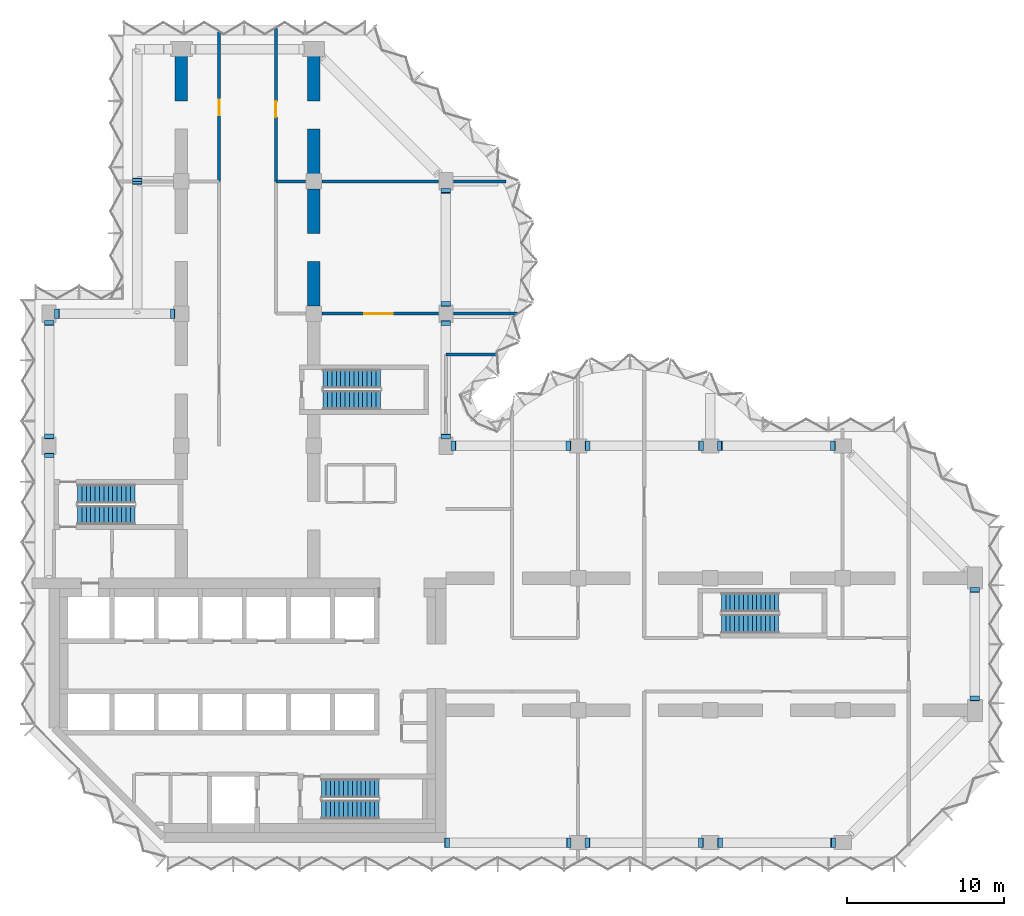
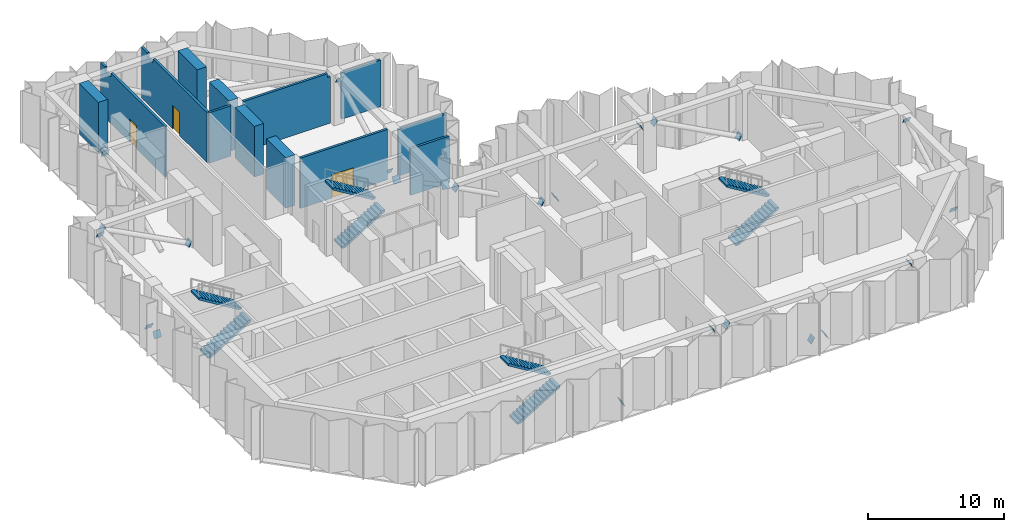
# One storey, part 7 of 13: 25 discrete accessories, 13 walls, 8 stair flights, 3 doors, 3 openings, 4 elements without a shape of their own.
"""IFC4 building model written with IfcOpenShell, lengths in metres."""

from ifc_helpers import new_model, si_unit, direction, frame, frame_2d, origin, origin_2d, place, context, subcontext, project, spatial, polyline, rectangle, outline, extrude, material, layer, layer_set, type_object, element, fill, aggregate, save


model = new_model("IFC4")

# Units and contexts
model_context = context("Model", 3, precision=1e-05, world=origin(), true_north=direction((0.0, 1.0)))
body_context = subcontext(model_context, "Body", "Model", "MODEL_VIEW")
ifc_project = project(units=[si_unit("LENGTHUNIT", "METRE"), si_unit("AREAUNIT", "SQUARE_METRE"), si_unit("VOLUMEUNIT", "CUBIC_METRE"), si_unit("PLANEANGLEUNIT", "RADIAN"), si_unit("MASSUNIT", "GRAM", prefix="KILO")], contexts=[model_context])

# Site, building, storey
site_placement = place(None, origin())
site = spatial("IfcSite", under=ifc_project, at=site_placement, CompositionType="ELEMENT")
building_placement = place(site_placement, origin())
building = spatial("IfcBuilding", under=site, at=building_placement, Name="Brevane Broadcast Tower", CompositionType="ELEMENT")
storey_placement = place(building_placement, frame((0.0, 0.0, 162.0)))
storey = spatial("IfcBuildingStorey", under=building, at=storey_placement, Name="L40", CompositionType="ELEMENT", Elevation=162.0)

# Wall
ifc_material_1 = material(Name="Gypsum board partition")
ifc_layer_1 = layer(ifc_material_1, 0.199951171875)
ifc_layer_set_1 = layer_set([ifc_layer_1], Name="PARTITION 200 EI 120")
wall_type_1 = type_object("IfcWallType", Name="PARTITION 200 EI 120", PredefinedType="PARTITIONING", material=ifc_layer_set_1)
wall_1_placement = place(storey_placement, frame((25.199951171875, 31.0, 0.0), z_axis=(0.0, 0.0, 1.0), x_axis=(1.0, 0.0, 0.0)))
element("IfcWall", 1, at=wall_1_placement, inside=storey, type_object=wall_type_1, Name="Partition R2-006", PredefinedType="PARTITIONING", context=body_context, shape_type="SweptSolid", body=[
    extrude(rectangle(XDim=3.32421875, YDim=0.199951171875, at=frame_2d((1.662109375, 0.0))), origin(), (0.0, 0.0, 1.0), 4.179931640625),
])

# Wall, opening, door
wall_2_placement = place(storey_placement, frame((17.320068359375, 33.60009765625, 0.0), z_axis=(0.0, 0.0, 1.0), x_axis=(1.0, 0.0, 0.0)))
wall_2 = element("IfcWall", 2, at=wall_2_placement, inside=storey, type_object=wall_type_1, Name="Partition R2-030", PredefinedType="PARTITIONING", context=body_context, shape_type="SweptSolid", body=[
    extrude(rectangle(XDim=7.409912109375, YDim=0.199951171875, at=frame_2d((3.705078125, 0.0))), origin(), (0.0, 0.0, 1.0), 4.530029296875),
])
opening_1_placement = place(wall_2_placement, frame((2.699951171875, 0.0, 0.0)))
opening_1 = element("IfcOpeningElement", 3, at=opening_1_placement, cuts=wall_2, Name="Opening D20-010", PredefinedType="OPENING", context=body_context, shape_type="SweptSolid", body=[
    extrude(rectangle(XDim=1.800048828125, YDim=2.10009765625, at=frame_2d((0.89990234375, 1.050048828125))), frame((0.0, 0.10986328125, 0.0), z_axis=(0.0, -1.0, 0.0), x_axis=(1.0, 0.0, 0.0)), (0.0, 0.0, 1.0), 0.219970703125),
])
ifc_material_2 = material(Name="Fire-rated timber door leaf", Category="wood")
door_type_1 = type_object("IfcDoorType", Name="DOOR DOUBLE 1800 FD60", OperationType="DOUBLE_DOOR_SINGLE_SWING", PredefinedType="DOOR", material=ifc_material_2)
door_1_placement = place(opening_1_placement, origin())
door_1 = element("IfcDoor", 4, at=door_1_placement, inside=storey, type_object=door_type_1, Name="Door D20-010", OperationType="DOUBLE_DOOR_SINGLE_SWING", OverallHeight=2.10009765625, OverallWidth=1.800048828125, PredefinedType="DOOR", context=body_context, shape_type="SweptSolid", body=[
    extrude(rectangle(XDim=1.800048828125, YDim=2.10009765625, at=frame_2d((0.89990234375, 1.050048828125))), frame((0.0, 0.02490234375, 0.0), z_axis=(0.0, -1.0, 0.0), x_axis=(1.0, 0.0, 0.0)), (0.0, 0.0, 1.0), 0.050048828125),
])
fill(opening_1, door_1)

# Wall
wall_3_placement = place(storey_placement, frame((25.669921875, 33.60009765625, 0.0), z_axis=(0.0, 0.0, 1.0), x_axis=(1.0, 0.0, 0.0)))
element("IfcWall", 5, at=wall_3_placement, inside=storey, type_object=wall_type_1, Name="Partition R2-031", PredefinedType="PARTITIONING", context=body_context, shape_type="SweptSolid", body=[
    extrude(rectangle(XDim=4.092041015625, YDim=0.199951171875, at=frame_2d((2.0458984375, 0.0))), origin(), (0.0, 0.0, 1.0), 4.179931640625),
])

# Wall, opening, door
wall_4_placement = place(storey_placement, frame((10.800048828125, 42.0, 0.0), z_axis=(0.0, 0.0, 1.0), x_axis=(0.0, 1.0, 0.0)))
wall_4 = element("IfcWall", 6, at=wall_4_placement, inside=storey, type_object=wall_type_1, Name="Partition R2-033", PredefinedType="PARTITIONING", context=body_context, shape_type="SweptSolid", body=[
    extrude(outline(polyline([(0.0, 0.0), (9.47998046875, 0.0), (9.47998046875, 4.530029296875), (8.85009765625, 4.530029296875), (8.847900390625, 4.179931640625), (7.951904296875, 4.179931640625), (7.949951171875, 4.530029296875), (0.0, 4.530029296875), (0.0, 0.0)])), frame((0.0, 0.10009765625, 0.0), z_axis=(0.0, -1.0, 0.0), x_axis=(1.0, 0.0, 0.0)), (0.0, 0.0, 1.0), 0.199951171875),
])
opening_2_placement = place(wall_4_placement, frame((4.199951171875, 0.0, 0.0)))
opening_2 = element("IfcOpeningElement", 7, at=opening_2_placement, cuts=wall_4, Name="Opening D20-009", PredefinedType="OPENING", context=body_context, shape_type="SweptSolid", body=[
    extrude(rectangle(XDim=1.0, YDim=2.10009765625, at=frame_2d((0.5, 1.050048828125))), frame((0.0, 0.10986328125, 0.0), z_axis=(0.0, -1.0, 0.0), x_axis=(1.0, 0.0, 0.0)), (0.0, 0.0, 1.0), 0.219970703125),
])
door_type_2 = type_object("IfcDoorType", Name="DOOR SINGLE 1000 FD60", OperationType="SINGLE_SWING_LEFT", PredefinedType="DOOR", material=ifc_material_2)
door_2_placement = place(opening_2_placement, origin())
door_2 = element("IfcDoor", 8, at=door_2_placement, inside=storey, type_object=door_type_2, Name="Door D20-009", OperationType="SINGLE_SWING_LEFT", OverallHeight=2.10009765625, OverallWidth=1.0, PredefinedType="DOOR", context=body_context, shape_type="SweptSolid", body=[
    extrude(rectangle(XDim=1.0, YDim=2.10009765625, at=frame_2d((0.5, 1.050048828125))), frame((0.0, 0.02490234375, 0.0), z_axis=(0.0, -1.0, 0.0), x_axis=(1.0, 0.0, 0.0)), (0.0, 0.0, 1.0), 0.050048828125),
])
fill(opening_2, door_2)

wall_5_placement = place(storey_placement, frame((14.39990234375, 51.71337890625, 0.0), z_axis=(0.0, 0.0, 1.0), x_axis=(0.0, -1.0, 0.0)))
wall_5 = element("IfcWall", 9, at=wall_5_placement, inside=storey, type_object=wall_type_1, Name="Partition R2-035", PredefinedType="PARTITIONING", context=body_context, shape_type="SweptSolid", body=[
    extrude(outline(polyline([(0.0, 0.0), (9.71337890625, 0.0), (9.71337890625, 4.530029296875), (1.763427734375, 4.530029296875), (1.761474609375, 4.179931640625), (0.865478515625, 4.179931640625), (0.86328125, 4.530029296875), (0.2333984375, 4.530029296875), (0.0, 4.530029296875), (0.0, 0.0)])), frame((0.0, 0.10009765625, 0.0), z_axis=(0.0, -1.0, 0.0), x_axis=(1.0, 0.0, 0.0)), (0.0, 0.0, 1.0), 0.199951171875),
])
opening_3_placement = place(wall_5_placement, frame((4.63330078125, 0.0, 0.0)))
opening_3 = element("IfcOpeningElement", 10, at=opening_3_placement, cuts=wall_5, Name="Opening D20-011", PredefinedType="OPENING", context=body_context, shape_type="SweptSolid", body=[
    extrude(rectangle(XDim=1.0, YDim=2.10009765625, at=frame_2d((0.5, 1.050048828125))), frame((0.0, 0.10986328125, 0.0), z_axis=(0.0, -1.0, 0.0), x_axis=(1.0, 0.0, 0.0)), (0.0, 0.0, 1.0), 0.219970703125),
])
door_3_placement = place(opening_3_placement, origin())
door_3 = element("IfcDoor", 11, at=door_3_placement, inside=storey, type_object=door_type_2, Name="Door D20-011", OperationType="SINGLE_SWING_LEFT", OverallHeight=2.10009765625, OverallWidth=1.0, PredefinedType="DOOR", context=body_context, shape_type="SweptSolid", body=[
    extrude(rectangle(XDim=1.0, YDim=2.10009765625, at=frame_2d((0.5, 1.050048828125))), frame((0.0, 0.02490234375, 0.0), z_axis=(0.0, -1.0, 0.0), x_axis=(1.0, 0.0, 0.0)), (0.0, 0.0, 1.0), 0.050048828125),
])
fill(opening_3, door_3)

# Walls
wall_6_placement = place(storey_placement, frame((14.39990234375, 42.0, 0.0), z_axis=(0.0, 0.0, 1.0), x_axis=(1.0, 0.0, 0.0)))
element("IfcWall", 12, at=wall_6_placement, inside=storey, type_object=wall_type_1, Name="Partition R2-038", PredefinedType="PARTITIONING", context=body_context, shape_type="SweptSolid", body=[
    extrude(rectangle(XDim=1.880126953125, YDim=0.199951171875, at=frame_2d((0.93994140625, 0.0))), origin(), (0.0, 0.0, 1.0), 4.530029296875),
])
wall_7_placement = place(storey_placement, frame((17.320068359375, 42.0, 0.0), z_axis=(0.0, 0.0, 1.0), x_axis=(1.0, 0.0, 0.0)))
element("IfcWall", 13, at=wall_7_placement, inside=storey, type_object=wall_type_1, Name="Partition R2-039", PredefinedType="PARTITIONING", context=body_context, shape_type="SweptSolid", body=[
    extrude(outline(polyline([(0.0, 0.0), (7.409912109375, 0.0), (7.409912109375, 4.179931640625), (7.166259765625, 4.179931640625), (7.164306640625, 4.530029296875), (0.0, 4.530029296875), (0.0, 0.0)])), frame((0.0, 0.10009765625, 0.0), z_axis=(0.0, -1.0, 0.0), x_axis=(1.0, 0.0, 0.0)), (0.0, 0.0, 1.0), 0.199951171875),
])
wall_8_placement = place(storey_placement, frame((25.669921875, 42.0, 0.0), z_axis=(0.0, 0.0, 1.0), x_axis=(1.0, 0.0, 0.0)))
element("IfcWall", 14, at=wall_8_placement, inside=storey, type_object=wall_type_1, Name="Partition R2-040", PredefinedType="PARTITIONING", context=body_context, shape_type="SweptSolid", body=[
    extrude(rectangle(XDim=3.341552734375, YDim=0.199951171875, at=frame_2d((1.6708984375, 0.0))), origin(), (0.0, 0.0, 1.0), 4.179931640625),
])
ifc_material_3 = material(Name="Concrete C60/75", Category="concrete")
ifc_layer_2 = layer(ifc_material_3, 0.800048828125)
ifc_layer_set_2 = layer_set([ifc_layer_2], Name="RC OUTRIGGER WALL 800 C60/75")
wall_type_2 = type_object("IfcWallType", Name="RC OUTRIGGER WALL 800 C60/75", PredefinedType="SHEAR", material=ifc_layer_set_2)
wall_9_placement = place(storey_placement, frame((8.39990234375, 47.112548828125, 0.0), z_axis=(0.0, 0.0, 1.0), x_axis=(0.0, 1.0, 0.0)))
element("IfcWall", 15, at=wall_9_placement, inside=storey, type_object=wall_type_2, Name="OR1 L40-24", PredefinedType="SHEAR", context=body_context, shape_type="SweptSolid", body=[
    extrude(rectangle(XDim=2.842529296875, YDim=0.800048828125, at=frame_2d((1.42138671875, 0.0))), origin(), (0.0, 0.0, 1.0), 4.550048828125),
])
wall_10_placement = place(storey_placement, frame((16.800048828125, 34.070068359375, 0.0), z_axis=(0.0, 0.0, 1.0), x_axis=(0.0, 1.0, 0.0)))
element("IfcWall", 16, at=wall_10_placement, inside=storey, type_object=wall_type_2, Name="OR1 L40-29", PredefinedType="SHEAR", context=body_context, shape_type="SweptSolid", body=[
    extrude(rectangle(XDim=2.829833984375, YDim=0.800048828125, at=frame_2d((1.4150390625, 0.0))), origin(), (0.0, 0.0, 1.0), 4.550048828125),
])
wall_11_placement = place(storey_placement, frame((16.800048828125, 38.699951171875, 0.0), z_axis=(0.0, 0.0, 1.0), x_axis=(0.0, 1.0, 0.0)))
element("IfcWall", 17, at=wall_11_placement, inside=storey, type_object=wall_type_2, Name="OR1 L40-30", PredefinedType="SHEAR", context=body_context, shape_type="SweptSolid", body=[
    extrude(rectangle(XDim=2.830078125, YDim=0.800048828125, at=frame_2d((1.4150390625, 0.0))), origin(), (0.0, 0.0, 1.0), 4.550048828125),
])
for number, where, z_axis, x_axis, name in (
    (18, (16.800048828125, 42.469970703125, 0.0), (0.0, 0.0, 1.0), (0.0, 1.0, 0.0), "OR1 L40-31"),
    (19, (16.800048828125, 47.112548828125, 0.0), (0.0, 0.0, 1.0), (0.0, 1.0, 0.0), "OR1 L40-32"),
):
    element("IfcWall", number, at=place(storey_placement, frame(where, z_axis=z_axis, x_axis=x_axis)), inside=storey, type_object=wall_type_2, Name=name, PredefinedType="SHEAR", context=body_context, shape_type="SweptSolid", body=[
        extrude(rectangle(XDim=2.842529296875, YDim=0.800048828125, at=frame_2d((1.42138671875, 0.0))), origin(), (0.0, 0.0, 1.0), 4.550048828125),
    ])

# Stair, stair flights
ifc_material_4 = material(Name="Concrete C50/60", Category="concrete")
stair_type = type_object("IfcStairType", Name="Exit stair 28 risers", PredefinedType="HALF_TURN_STAIR", material=ifc_material_4)
stair_1_placement = place(storey_placement, origin())
stair_1 = element("IfcStair", 20, at=stair_1_placement, inside=storey, type_object=stair_type, Name="L40 Exit stair ST-1", PredefinedType="HALF_TURN_STAIR")
stair_flight_type = type_object("IfcStairFlightType", Name="Exit stair flight 28 risers", PredefinedType="STRAIGHT", material=ifc_material_4)
stair_flight_1_placement = place(storey_placement, frame((1.800048828125, 20.800048828125, 0.0), z_axis=(0.0, 0.0, 1.0), x_axis=(1.0, 0.0, 0.0)))
stair_flight_1 = element("IfcStairFlight", 21, at=stair_flight_1_placement, type_object=stair_flight_type, Name="ST-1 flight 1", NumberOfRisers=14, NumberOfTreads=13, PredefinedType="STRAIGHT", RiserHeight=0.171428571, TreadLength=0.28, context=body_context, shape_type="SweptSolid", body=[
    extrude(outline(polyline([(0.0, 0.0), (0.0, 0.17138671875), (0.280029296875, 0.17138671875), (0.280029296875, 0.3427734375), (0.56005859375, 0.3427734375), (0.56005859375, 0.514404296875), (0.840087890625, 0.514404296875), (0.840087890625, 0.685791015625), (1.1201171875, 0.685791015625), (1.1201171875, 0.857177734375), (1.39990234375, 0.857177734375), (1.39990234375, 1.028564453125), (1.679931640625, 1.028564453125), (1.679931640625, 1.199951171875), (1.9599609375, 1.199951171875), (1.9599609375, 1.371337890625), (2.239990234375, 1.371337890625), (2.239990234375, 1.54296875), (2.52001953125, 1.54296875), (2.52001953125, 1.71435546875), (2.800048828125, 1.71435546875), (2.800048828125, 1.8857421875), (3.080078125, 1.8857421875), (3.080078125, 2.05712890625), (3.360107421875, 2.05712890625), (3.360107421875, 2.228515625), (3.639892578125, 2.228515625), (3.639892578125, 2.39990234375), (3.639892578125, 2.052734375), (0.287109375, 0.0), (0.0, 0.0)])), frame((0.0, 0.60009765625, 0.0), z_axis=(0.0, -1.0, 0.0), x_axis=(1.0, 0.0, 0.0)), (0.0, 0.0, 1.0), 1.199951171875),
])
stair_flight_2_placement = place(storey_placement, frame((5.43994140625, 22.14990234375, 2.39990234375), z_axis=(0.0, 0.0, 1.0), x_axis=(-1.0, 0.0, 0.0)))
stair_flight_2 = element("IfcStairFlight", 22, at=stair_flight_2_placement, type_object=stair_flight_type, Name="ST-1 flight 2", NumberOfRisers=14, NumberOfTreads=13, PredefinedType="STRAIGHT", RiserHeight=0.171428571, TreadLength=0.28, context=body_context, shape_type="SweptSolid", body=[
    extrude(outline(polyline([(0.0, 0.0), (0.0, 0.17138671875), (0.280029296875, 0.17138671875), (0.280029296875, 0.3427734375), (0.56005859375, 0.3427734375), (0.56005859375, 0.514404296875), (0.840087890625, 0.514404296875), (0.840087890625, 0.685791015625), (1.1201171875, 0.685791015625), (1.1201171875, 0.857177734375), (1.39990234375, 0.857177734375), (1.39990234375, 1.028564453125), (1.679931640625, 1.028564453125), (1.679931640625, 1.199951171875), (1.9599609375, 1.199951171875), (1.9599609375, 1.371337890625), (2.239990234375, 1.371337890625), (2.239990234375, 1.54296875), (2.52001953125, 1.54296875), (2.52001953125, 1.71435546875), (2.800048828125, 1.71435546875), (2.800048828125, 1.8857421875), (3.080078125, 1.8857421875), (3.080078125, 2.05712890625), (3.360107421875, 2.05712890625), (3.360107421875, 2.228515625), (3.639892578125, 2.228515625), (3.639892578125, 2.39990234375), (3.639892578125, 2.052734375), (0.287109375, 0.0), (0.0, 0.0)])), frame((0.0, 0.60009765625, 0.0), z_axis=(0.0, -1.0, 0.0), x_axis=(1.0, 0.0, 0.0)), (0.0, 0.0, 1.0), 1.199951171875),
])
aggregate(stair_1, [stair_flight_1, stair_flight_2])

stair_2_placement = place(storey_placement, origin())
stair_2 = element("IfcStair", 23, at=stair_2_placement, inside=storey, type_object=stair_type, Name="L40 Exit stair ST-2", PredefinedType="HALF_TURN_STAIR")
stair_flight_3_placement = place(storey_placement, frame((17.300048828125, 2.10009765625, 0.0), z_axis=(0.0, 0.0, 1.0), x_axis=(1.0, 0.0, 0.0)))
stair_flight_3 = element("IfcStairFlight", 24, at=stair_flight_3_placement, type_object=stair_flight_type, Name="ST-2 flight 1", NumberOfRisers=14, NumberOfTreads=13, PredefinedType="STRAIGHT", RiserHeight=0.171428571, TreadLength=0.28, context=body_context, shape_type="SweptSolid", body=[
    extrude(outline(polyline([(0.0, 0.0), (0.0, 0.17138671875), (0.280029296875, 0.17138671875), (0.280029296875, 0.3427734375), (0.56005859375, 0.3427734375), (0.56005859375, 0.514404296875), (0.840087890625, 0.514404296875), (0.840087890625, 0.685791015625), (1.1201171875, 0.685791015625), (1.1201171875, 0.857177734375), (1.39990234375, 0.857177734375), (1.39990234375, 1.028564453125), (1.679931640625, 1.028564453125), (1.679931640625, 1.199951171875), (1.9599609375, 1.199951171875), (1.9599609375, 1.371337890625), (2.239990234375, 1.371337890625), (2.239990234375, 1.54296875), (2.52001953125, 1.54296875), (2.52001953125, 1.71435546875), (2.800048828125, 1.71435546875), (2.800048828125, 1.8857421875), (3.080078125, 1.8857421875), (3.080078125, 2.05712890625), (3.360107421875, 2.05712890625), (3.360107421875, 2.228515625), (3.639892578125, 2.228515625), (3.639892578125, 2.39990234375), (3.639892578125, 2.052734375), (0.287109375, 0.0), (0.0, 0.0)])), frame((0.0, 0.60009765625, 0.0), z_axis=(0.0, -1.0, 0.0), x_axis=(1.0, 0.0, 0.0)), (0.0, 0.0, 1.0), 1.199951171875),
])
stair_flight_4_placement = place(storey_placement, frame((20.93994140625, 3.449951171875, 2.39990234375), z_axis=(0.0, 0.0, 1.0), x_axis=(-1.0, 0.0, 0.0)))
stair_flight_4 = element("IfcStairFlight", 25, at=stair_flight_4_placement, type_object=stair_flight_type, Name="ST-2 flight 2", NumberOfRisers=14, NumberOfTreads=13, PredefinedType="STRAIGHT", RiserHeight=0.171428571, TreadLength=0.28, context=body_context, shape_type="SweptSolid", body=[
    extrude(outline(polyline([(0.0, 0.0), (0.0, 0.17138671875), (0.280029296875, 0.17138671875), (0.280029296875, 0.3427734375), (0.56005859375, 0.3427734375), (0.56005859375, 0.514404296875), (0.840087890625, 0.514404296875), (0.840087890625, 0.685791015625), (1.1201171875, 0.685791015625), (1.1201171875, 0.857177734375), (1.39990234375, 0.857177734375), (1.39990234375, 1.028564453125), (1.679931640625, 1.028564453125), (1.679931640625, 1.199951171875), (1.9599609375, 1.199951171875), (1.9599609375, 1.371337890625), (2.239990234375, 1.371337890625), (2.239990234375, 1.54296875), (2.52001953125, 1.54296875), (2.52001953125, 1.71435546875), (2.800048828125, 1.71435546875), (2.800048828125, 1.8857421875), (3.080078125, 1.8857421875), (3.080078125, 2.05712890625), (3.360107421875, 2.05712890625), (3.360107421875, 2.228515625), (3.639892578125, 2.228515625), (3.639892578125, 2.39990234375), (3.639892578125, 2.052734375), (0.287109375, 0.0), (0.0, 0.0)])), frame((0.0, 0.60009765625, 0.0), z_axis=(0.0, -1.0, 0.0), x_axis=(1.0, 0.0, 0.0)), (0.0, 0.0, 1.0), 1.199951171875),
])
aggregate(stair_2, [stair_flight_3, stair_flight_4])

stair_3_placement = place(storey_placement, origin())
stair_3 = element("IfcStair", 26, at=stair_3_placement, inside=storey, type_object=stair_type, Name="L40 Exit stair ST-3", PredefinedType="HALF_TURN_STAIR")
stair_flight_5_placement = place(storey_placement, frame((17.39990234375, 28.10009765625, 0.0), z_axis=(0.0, 0.0, 1.0), x_axis=(1.0, 0.0, 0.0)))
stair_flight_5 = element("IfcStairFlight", 27, at=stair_flight_5_placement, type_object=stair_flight_type, Name="ST-3 flight 1", NumberOfRisers=14, NumberOfTreads=13, PredefinedType="STRAIGHT", RiserHeight=0.171428571, TreadLength=0.28, context=body_context, shape_type="SweptSolid", body=[
    extrude(outline(polyline([(0.0, 0.0), (0.0, 0.17138671875), (0.280029296875, 0.17138671875), (0.280029296875, 0.3427734375), (0.56005859375, 0.3427734375), (0.56005859375, 0.514404296875), (0.840087890625, 0.514404296875), (0.840087890625, 0.685791015625), (1.1201171875, 0.685791015625), (1.1201171875, 0.857177734375), (1.39990234375, 0.857177734375), (1.39990234375, 1.028564453125), (1.679931640625, 1.028564453125), (1.679931640625, 1.199951171875), (1.9599609375, 1.199951171875), (1.9599609375, 1.371337890625), (2.239990234375, 1.371337890625), (2.239990234375, 1.54296875), (2.52001953125, 1.54296875), (2.52001953125, 1.71435546875), (2.800048828125, 1.71435546875), (2.800048828125, 1.8857421875), (3.080078125, 1.8857421875), (3.080078125, 2.05712890625), (3.360107421875, 2.05712890625), (3.360107421875, 2.228515625), (3.639892578125, 2.228515625), (3.639892578125, 2.39990234375), (3.639892578125, 2.052734375), (0.287109375, 0.0), (0.0, 0.0)])), frame((0.0, 0.60009765625, 0.0), z_axis=(0.0, -1.0, 0.0), x_axis=(1.0, 0.0, 0.0)), (0.0, 0.0, 1.0), 1.199951171875),
])
stair_flight_6_placement = place(storey_placement, frame((21.0400390625, 29.449951171875, 2.39990234375), z_axis=(0.0, 0.0, 1.0), x_axis=(-1.0, 0.0, 0.0)))
stair_flight_6 = element("IfcStairFlight", 28, at=stair_flight_6_placement, type_object=stair_flight_type, Name="ST-3 flight 2", NumberOfRisers=14, NumberOfTreads=13, PredefinedType="STRAIGHT", RiserHeight=0.171428571, TreadLength=0.28, context=body_context, shape_type="SweptSolid", body=[
    extrude(outline(polyline([(0.0, 0.0), (0.0, 0.17138671875), (0.280029296875, 0.17138671875), (0.280029296875, 0.3427734375), (0.56005859375, 0.3427734375), (0.56005859375, 0.514404296875), (0.840087890625, 0.514404296875), (0.840087890625, 0.685791015625), (1.1201171875, 0.685791015625), (1.1201171875, 0.857177734375), (1.39990234375, 0.857177734375), (1.39990234375, 1.028564453125), (1.679931640625, 1.028564453125), (1.679931640625, 1.199951171875), (1.9599609375, 1.199951171875), (1.9599609375, 1.371337890625), (2.239990234375, 1.371337890625), (2.239990234375, 1.54296875), (2.52001953125, 1.54296875), (2.52001953125, 1.71435546875), (2.800048828125, 1.71435546875), (2.800048828125, 1.8857421875), (3.080078125, 1.8857421875), (3.080078125, 2.05712890625), (3.360107421875, 2.05712890625), (3.360107421875, 2.228515625), (3.639892578125, 2.228515625), (3.639892578125, 2.39990234375), (3.639892578125, 2.052734375), (0.287109375, 0.0), (0.0, 0.0)])), frame((0.0, 0.60009765625, 0.0), z_axis=(0.0, -1.0, 0.0), x_axis=(1.0, 0.0, 0.0)), (0.0, 0.0, 1.0), 1.199951171875),
])
aggregate(stair_3, [stair_flight_5, stair_flight_6])

stair_4_placement = place(storey_placement, origin())
stair_4 = element("IfcStair", 29, at=stair_4_placement, inside=storey, type_object=stair_type, Name="L40 Exit stair ST-4", PredefinedType="HALF_TURN_STAIR")
stair_flight_7_placement = place(storey_placement, frame((42.699951171875, 13.89990234375, 0.0), z_axis=(0.0, 0.0, 1.0), x_axis=(1.0, 0.0, 0.0)))
stair_flight_7 = element("IfcStairFlight", 30, at=stair_flight_7_placement, type_object=stair_flight_type, Name="ST-4 flight 1", NumberOfRisers=14, NumberOfTreads=13, PredefinedType="STRAIGHT", RiserHeight=0.171428571, TreadLength=0.28, context=body_context, shape_type="SweptSolid", body=[
    extrude(outline(polyline([(0.0, 0.0), (0.0, 0.17138671875), (0.280029296875, 0.17138671875), (0.280029296875, 0.3427734375), (0.56005859375, 0.3427734375), (0.56005859375, 0.514404296875), (0.840087890625, 0.514404296875), (0.840087890625, 0.685791015625), (1.1201171875, 0.685791015625), (1.1201171875, 0.857177734375), (1.39990234375, 0.857177734375), (1.39990234375, 1.028564453125), (1.679931640625, 1.028564453125), (1.679931640625, 1.199951171875), (1.9599609375, 1.199951171875), (1.9599609375, 1.371337890625), (2.239990234375, 1.371337890625), (2.239990234375, 1.54296875), (2.52001953125, 1.54296875), (2.52001953125, 1.71435546875), (2.800048828125, 1.71435546875), (2.800048828125, 1.8857421875), (3.080078125, 1.8857421875), (3.080078125, 2.05712890625), (3.360107421875, 2.05712890625), (3.360107421875, 2.228515625), (3.639892578125, 2.228515625), (3.639892578125, 2.39990234375), (3.639892578125, 2.052734375), (0.287109375, 0.0), (0.0, 0.0)])), frame((0.0, 0.60009765625, 0.0), z_axis=(0.0, -1.0, 0.0), x_axis=(1.0, 0.0, 0.0)), (0.0, 0.0, 1.0), 1.199951171875),
])
stair_flight_8_placement = place(storey_placement, frame((46.340087890625, 15.25, 2.39990234375), z_axis=(0.0, 0.0, 1.0), x_axis=(-1.0, 0.0, 0.0)))
stair_flight_8 = element("IfcStairFlight", 31, at=stair_flight_8_placement, type_object=stair_flight_type, Name="ST-4 flight 2", NumberOfRisers=14, NumberOfTreads=13, PredefinedType="STRAIGHT", RiserHeight=0.171428571, TreadLength=0.28, context=body_context, shape_type="SweptSolid", body=[
    extrude(outline(polyline([(0.0, 0.0), (0.0, 0.17138671875), (0.280029296875, 0.17138671875), (0.280029296875, 0.3427734375), (0.56005859375, 0.3427734375), (0.56005859375, 0.514404296875), (0.840087890625, 0.514404296875), (0.840087890625, 0.685791015625), (1.1201171875, 0.685791015625), (1.1201171875, 0.857177734375), (1.39990234375, 0.857177734375), (1.39990234375, 1.028564453125), (1.679931640625, 1.028564453125), (1.679931640625, 1.199951171875), (1.9599609375, 1.199951171875), (1.9599609375, 1.371337890625), (2.239990234375, 1.371337890625), (2.239990234375, 1.54296875), (2.52001953125, 1.54296875), (2.52001953125, 1.71435546875), (2.800048828125, 1.71435546875), (2.800048828125, 1.8857421875), (3.080078125, 1.8857421875), (3.080078125, 2.05712890625), (3.360107421875, 2.05712890625), (3.360107421875, 2.228515625), (3.639892578125, 2.228515625), (3.639892578125, 2.39990234375), (3.639892578125, 2.052734375), (0.287109375, 0.0), (0.0, 0.0)])), frame((0.0, 0.60009765625, 0.0), z_axis=(0.0, -1.0, 0.0), x_axis=(1.0, 0.0, 0.0)), (0.0, 0.0, 1.0), 1.199951171875),
])
aggregate(stair_4, [stair_flight_7, stair_flight_8])

# Discrete accessories
ifc_material_5 = material(Name="Steel S355", Category="steel")
ifc_layer_3 = layer(ifc_material_5, 0.0400390625)
ifc_layer_set_3 = layer_set([ifc_layer_3], Name="Gusset plate 600x600x40 S355")
discrete_accessory_type = type_object("IfcDiscreteAccessoryType", Name="Gusset plate 600x600x40 S355", PredefinedType="ANCHORPLATE", material=ifc_layer_set_3)
discrete_accessory_1_placement = place(storey_placement, frame((25.2548828125, 0.0, 0.1640625), z_axis=(0.894427191, 0.0, 0.4472135955), x_axis=(0.0, 1.0, 0.0)))
element("IfcDiscreteAccessory", 32, at=discrete_accessory_1_placement, inside=storey, type_object=discrete_accessory_type, Name="Gusset plate GP2-5", PredefinedType="ANCHORPLATE", context=body_context, shape_type="SweptSolid", body=[
    extrude(rectangle(XDim=0.60009765625, YDim=0.60009765625, at=origin_2d()), origin(), (0.0, 0.0, 1.0), 0.039794921875),
])
for number, where, z_axis, x_axis, name in (
    (33, (32.9892578125, 0.0, 4.01806640625), (0.895642431808, 0.0, 0.444774813075), (0.0, 1.0, 0.0), "Gusset plate GP2-6"),
    (34, (41.419189453125, 0.0, 0.16015625), (-0.879291966537, 0.0, 0.476283148541), (0.0, -1.0, 0.0), "Gusset plate GP2-7"),
    (35, (34.216064453125, 0.0, 4.02099609375), (-0.883194569852, 0.0, 0.469006771576), (0.0, -1.0, 0.0), "Gusset plate GP2-8"),
    (36, (42.580810546875, 0.0, 0.16015625), (0.879291966537, 0.0, 0.476283148541), (0.0, 1.0, 0.0), "Gusset plate GP2-9"),
    (37, (49.783935546875, 0.0, 4.02099609375), (0.883194569852, 0.0, 0.469006771576), (0.0, 1.0, 0.0), "Gusset plate GP2-10"),
    (38, (58.800048828125, 9.134521484375, 0.15771484375), (0.0, 0.872714074517, 0.48823165008), (-1.0, 0.0, 0.0), "Gusset plate GP2-11"),
):
    element("IfcDiscreteAccessory", number, at=place(storey_placement, frame(where, z_axis=z_axis, x_axis=x_axis)), inside=storey, type_object=discrete_accessory_type, Name=name, PredefinedType="ANCHORPLATE", context=body_context, shape_type="SweptSolid", body=[
        extrude(rectangle(XDim=0.60009765625, YDim=0.60009765625, at=origin_2d()), origin(), (0.0, 0.0, 1.0), 0.0400390625),
    ])
discrete_accessory_2_placement = place(storey_placement, frame((58.800048828125, 16.03076171875, 4.022705078125), z_axis=(0.0, 0.871247627745, 0.490843733941), x_axis=(-1.0, 0.0, 0.0)))
element("IfcDiscreteAccessory", 39, at=discrete_accessory_2_placement, inside=storey, type_object=discrete_accessory_type, Name="Gusset plate GP2-12", PredefinedType="ANCHORPLATE", context=body_context, shape_type="SweptSolid", body=[
    extrude(rectangle(XDim=0.60009765625, YDim=0.60009765625, at=origin_2d()), origin(), (0.0, 0.0, 1.0), 0.039794921875),
])
discrete_accessory_3_placement = place(storey_placement, frame((49.8193359375, 25.199951171875, 0.16015625), z_axis=(-0.880666047964, 0.0, 0.473737598215), x_axis=(0.0, -1.0, 0.0)))
element("IfcDiscreteAccessory", 40, at=discrete_accessory_3_placement, inside=storey, type_object=discrete_accessory_type, Name="Gusset plate GP2-13", PredefinedType="ANCHORPLATE", context=body_context, shape_type="SweptSolid", body=[
    extrude(rectangle(XDim=0.60009765625, YDim=0.60009765625, at=origin_2d()), origin(), (0.0, 0.0, 1.0), 0.040283203125),
])
discrete_accessory_4_placement = place(storey_placement, frame((42.615966796875, 25.199951171875, 4.02099609375), z_axis=(-0.881843865453, 0.0, 0.471541511388), x_axis=(0.0, -1.0, 0.0)))
element("IfcDiscreteAccessory", 41, at=discrete_accessory_4_placement, inside=storey, type_object=discrete_accessory_type, Name="Gusset plate GP2-14", PredefinedType="ANCHORPLATE", context=body_context, shape_type="SweptSolid", body=[
    extrude(rectangle(XDim=0.60009765625, YDim=0.60009765625, at=origin_2d()), origin(), (0.0, 0.0, 1.0), 0.039794921875),
])
discrete_accessory_5_placement = place(storey_placement, frame((34.1806640625, 25.199951171875, 0.16015625), z_axis=(0.880666047964, 0.0, 0.473737598215), x_axis=(0.0, 1.0, 0.0)))
element("IfcDiscreteAccessory", 42, at=discrete_accessory_5_placement, inside=storey, type_object=discrete_accessory_type, Name="Gusset plate GP2-15", PredefinedType="ANCHORPLATE", context=body_context, shape_type="SweptSolid", body=[
    extrude(rectangle(XDim=0.60009765625, YDim=0.60009765625, at=origin_2d()), origin(), (0.0, 0.0, 1.0), 0.040283203125),
])
discrete_accessory_6_placement = place(storey_placement, frame((41.384033203125, 25.199951171875, 4.02099609375), z_axis=(0.881843865453, 0.0, 0.471541511388), x_axis=(0.0, 1.0, 0.0)))
element("IfcDiscreteAccessory", 43, at=discrete_accessory_6_placement, inside=storey, type_object=discrete_accessory_type, Name="Gusset plate GP2-16", PredefinedType="ANCHORPLATE", context=body_context, shape_type="SweptSolid", body=[
    extrude(rectangle(XDim=0.60009765625, YDim=0.60009765625, at=origin_2d()), origin(), (0.0, 0.0, 1.0), 0.039794921875),
])
for number, where, z_axis, x_axis, name in (
    (44, (33.0205078125, 25.199951171875, 0.160888671875), (-0.883194569852, 0.0, 0.469006771576), (0.0, -1.0, 0.0), "Gusset plate GP2-17"),
    (45, (25.71484375, 25.199951171875, 4.020263671875), (-0.883194569852, 0.0, 0.469006771576), (0.0, -1.0, 0.0), "Gusset plate GP2-18"),
    (46, (25.199951171875, 33.019287109375, 0.16015625), (0.0, -0.879291966537, 0.476283148541), (1.0, 0.0, 0.0), "Gusset plate GP2-19"),
):
    element("IfcDiscreteAccessory", number, at=place(storey_placement, frame(where, z_axis=z_axis, x_axis=x_axis)), inside=storey, type_object=discrete_accessory_type, Name=name, PredefinedType="ANCHORPLATE", context=body_context, shape_type="SweptSolid", body=[
        extrude(rectangle(XDim=0.60009765625, YDim=0.60009765625, at=origin_2d()), origin(), (0.0, 0.0, 1.0), 0.0400390625),
    ])
discrete_accessory_7_placement = place(storey_placement, frame((25.199951171875, 25.81591796875, 4.02099609375), z_axis=(0.0, -0.881843865453, 0.471541511388), x_axis=(1.0, 0.0, 0.0)))
element("IfcDiscreteAccessory", 47, at=discrete_accessory_7_placement, inside=storey, type_object=discrete_accessory_type, Name="Gusset plate GP2-20", PredefinedType="ANCHORPLATE", context=body_context, shape_type="SweptSolid", body=[
    extrude(rectangle(XDim=0.60009765625, YDim=0.60009765625, at=origin_2d()), origin(), (0.0, 0.0, 1.0), 0.039794921875),
])
discrete_accessory_8_placement = place(storey_placement, frame((25.199951171875, 34.1806640625, 0.16015625), z_axis=(0.0, 0.880666047964, 0.473737598215), x_axis=(-1.0, 0.0, 0.0)))
element("IfcDiscreteAccessory", 48, at=discrete_accessory_8_placement, inside=storey, type_object=discrete_accessory_type, Name="Gusset plate GP2-21", PredefinedType="ANCHORPLATE", context=body_context, shape_type="SweptSolid", body=[
    extrude(rectangle(XDim=0.60009765625, YDim=0.60009765625, at=origin_2d()), origin(), (0.0, 0.0, 1.0), 0.040283203125),
])
discrete_accessory_9_placement = place(storey_placement, frame((25.199951171875, 41.384033203125, 4.02099609375), z_axis=(0.0, 0.881843865453, 0.471541511388), x_axis=(-1.0, 0.0, 0.0)))
element("IfcDiscreteAccessory", 49, at=discrete_accessory_9_placement, inside=storey, type_object=discrete_accessory_type, Name="Gusset plate GP2-22", PredefinedType="ANCHORPLATE", context=body_context, shape_type="SweptSolid", body=[
    extrude(rectangle(XDim=0.60009765625, YDim=0.60009765625, at=origin_2d()), origin(), (0.0, 0.0, 1.0), 0.039794921875),
])
discrete_accessory_10_placement = place(storey_placement, frame((0.0, 25.78076171875, 0.16015625), z_axis=(0.0, 0.879291966537, 0.476283148541), x_axis=(-1.0, 0.0, 0.0)))
element("IfcDiscreteAccessory", 50, at=discrete_accessory_10_placement, inside=storey, type_object=discrete_accessory_type, Name="Gusset plate GP2-25", PredefinedType="ANCHORPLATE", context=body_context, shape_type="SweptSolid", body=[
    extrude(rectangle(XDim=0.60009765625, YDim=0.60009765625, at=origin_2d()), origin(), (0.0, 0.0, 1.0), 0.0400390625),
])
discrete_accessory_11_placement = place(storey_placement, frame((0.0, 32.984130859375, 4.02099609375), z_axis=(0.0, 0.881843865453, 0.471541511388), x_axis=(-1.0, 0.0, 0.0)))
element("IfcDiscreteAccessory", 51, at=discrete_accessory_11_placement, inside=storey, type_object=discrete_accessory_type, Name="Gusset plate GP2-26", PredefinedType="ANCHORPLATE", context=body_context, shape_type="SweptSolid", body=[
    extrude(rectangle(XDim=0.60009765625, YDim=0.60009765625, at=origin_2d()), origin(), (0.0, 0.0, 1.0), 0.039794921875),
])
for number, where, z_axis, x_axis, name in (
    (52, (0.0, 24.625244140625, 0.1640625), (0.0, -0.895642431808, 0.444774813075), (1.0, 0.0, 0.0), "Gusset plate GP2-27"),
    (53, (7.87109375, 33.60009765625, 0.161376953125), (-0.885711947261, 0.0, 0.46423522753), (0.0, -1.0, 0.0), "Gusset plate GP2-28"),
    (54, (0.514404296875, 33.60009765625, 4.02001953125), (-0.885711947261, 0.0, 0.46423522753), (0.0, -1.0, 0.0), "Gusset plate GP2-29"),
):
    element("IfcDiscreteAccessory", number, at=place(storey_placement, frame(where, z_axis=z_axis, x_axis=x_axis)), inside=storey, type_object=discrete_accessory_type, Name=name, PredefinedType="ANCHORPLATE", context=body_context, shape_type="SweptSolid", body=[
        extrude(rectangle(XDim=0.60009765625, YDim=0.60009765625, at=origin_2d()), origin(), (0.0, 0.0, 1.0), 0.0400390625),
    ])
for number, where, z_axis, x_axis, name in (
    (55, (5.60009765625, 41.914306640625, 4.015869140625), (0.0, 0.906339528383, 0.42255018553), (-1.0, 0.0, 0.0), "Gusset plate GP2-30"),
    (56, (5.60009765625, 42.085693359375, 4.015869140625), (0.0, -0.906339528383, 0.42255018553), (1.0, 0.0, 0.0), "Gusset plate GP2-31"),
):
    element("IfcDiscreteAccessory", number, at=place(storey_placement, frame(where, z_axis=z_axis, x_axis=x_axis)), inside=storey, type_object=discrete_accessory_type, Name=name, PredefinedType="ANCHORPLATE", context=body_context, shape_type="SweptSolid", body=[
        extrude(rectangle(XDim=0.60009765625, YDim=0.60009765625, at=origin_2d()), origin(), (0.0, 0.0, 1.0), 0.039794921875),
    ])

save(model, "model.ifc")
